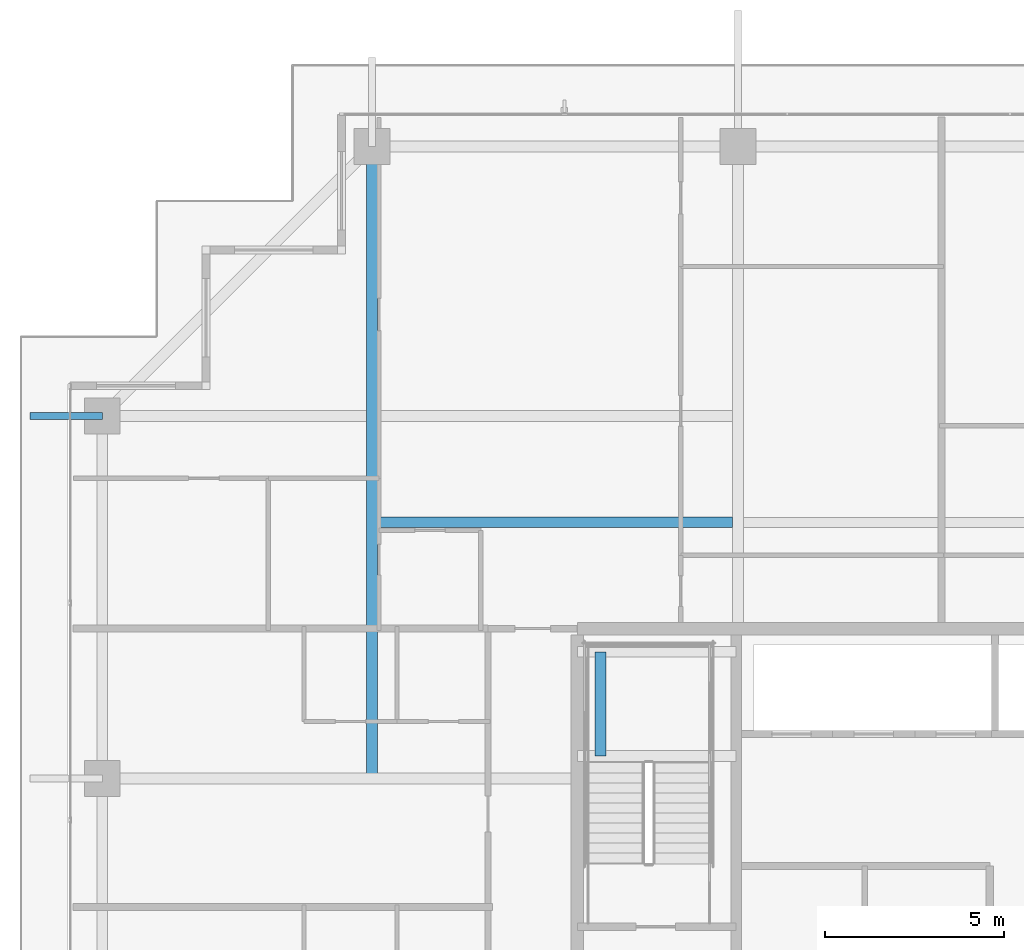
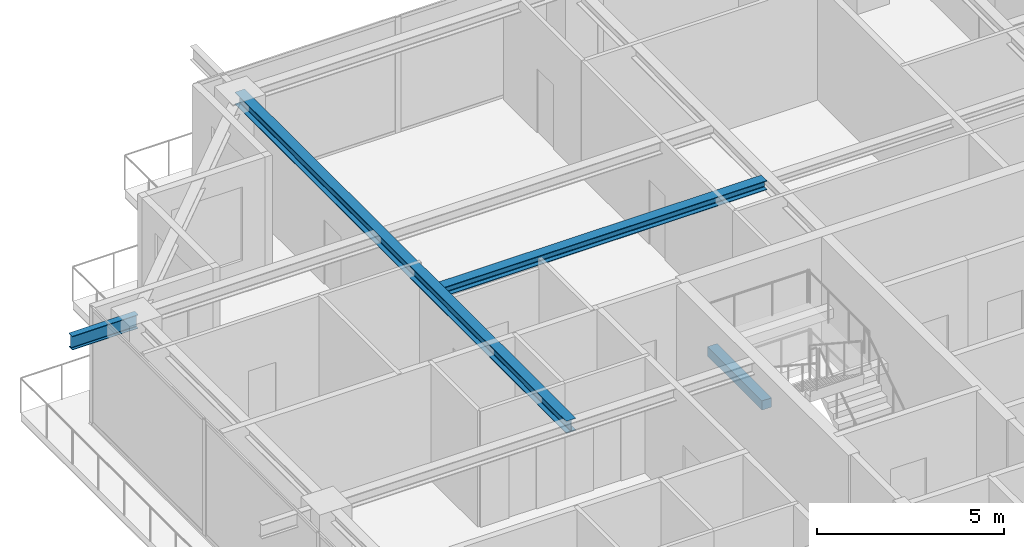
# One storey, part 20 of 42: 4 beams.
"""IFC4 building model written with IfcOpenShell, lengths in metres."""

from ifc_helpers import new_model, si_unit, direction, frame, origin, origin_2d, place, context, subcontext, project, spatial, rectangle, i_section, extrude, source, transform, mapped, material, material_profile, profile_set, type_object, element, save


model = new_model("IFC4")

# Units and contexts
model_context = context("Model", 3, precision=1e-05, world=origin(), true_north=direction((0.0, 1.0)))
body_context = subcontext(model_context, "Body", "Model", "MODEL_VIEW")
ifc_project = project(units=[si_unit("LENGTHUNIT", "METRE"), si_unit("AREAUNIT", "SQUARE_METRE"), si_unit("VOLUMEUNIT", "CUBIC_METRE"), si_unit("PLANEANGLEUNIT", "RADIAN"), si_unit("MASSUNIT", "GRAM", prefix="KILO")], contexts=[model_context])

# Site, building, storey
site_placement = place(None, origin())
site = spatial("IfcSite", under=ifc_project, at=site_placement, CompositionType="ELEMENT")
building_placement = place(site_placement, origin())
building = spatial("IfcBuilding", under=site, at=building_placement, Name="Serunith Strait Residences", CompositionType="ELEMENT")
storey_placement = place(building_placement, frame((0.0, 0.0, 325.85009765625)))
storey = spatial("IfcBuildingStorey", under=building, at=storey_placement, Name="L81", CompositionType="ELEMENT", Elevation=325.85009765625)

# Beams
ifc_material_1 = material(Name="Steel S355J2", Category="steel")
ifc_material_profile_1 = material_profile(ifc_material_1, i_section(OverallWidth=0.300048828125, OverallDepth=0.300048828125, WebThickness=0.010986328125, FlangeThickness=0.01904296875, FilletRadius=0.027099609375, at=origin_2d()), Name="HEB 300")
ifc_profile_set_1 = profile_set([ifc_material_profile_1], Name="Steel S355J2")
beam_type_1 = type_object("IfcBeamType", Name="BM-HEB300", PredefinedType="JOIST", material=ifc_profile_set_1)
shared_shape_1 = source(origin(), body_context, "Body", "SweptSolid", [
    extrude(i_section(OverallWidth=0.300048828125, OverallDepth=0.300048828125, WebThickness=0.010986328125, FlangeThickness=0.01904296875, FilletRadius=0.027099609375, at=origin_2d()), origin(), (0.0, 0.0, 1.0), 9.949951171875),
])
beam_1_placement = place(storey_placement, frame((17.800048828125, 36.574951171875, 3.636962890625), z_axis=(1.0, 0.0, 0.0), x_axis=(0.0, 1.0, 0.0)))
element("IfcBeam", 1, at=beam_1_placement, inside=storey, type_object=beam_type_1, Name="L81 Composite Floor Joist 04", PredefinedType="JOIST", context=body_context, shape_type="MappedRepresentation", body=[
    mapped(shared_shape_1, transform((0.0, 0.0, 0.0), scale=1.0)),
])
ifc_material_profile_2 = material_profile(ifc_material_1, i_section(OverallWidth=0.300048828125, OverallDepth=0.39990234375, WebThickness=0.013427734375, FlangeThickness=0.02392578125, FilletRadius=0.027099609375, at=origin_2d()), Name="HEB 400")
ifc_profile_set_2 = profile_set([ifc_material_profile_2], Name="Steel S355J2")
beam_type_2 = type_object("IfcBeamType", Name="BM-HEB400", PredefinedType="BEAM", material=ifc_profile_set_2)
shared_shape_2 = source(origin(), body_context, "Body", "SweptSolid", [
    extrude(i_section(OverallWidth=0.300048828125, OverallDepth=0.39990234375, WebThickness=0.013427734375, FlangeThickness=0.02392578125, FilletRadius=0.027099609375, at=origin_2d()), origin(), (0.0, 0.0, 1.0), 17.7001953125),
])
beam_2_placement = place(storey_placement, frame((17.64990234375, 29.39990234375, 3.5869140625), z_axis=(0.0, 1.0, 0.0), x_axis=(-1.0, 0.0, 0.0)))
element("IfcBeam", 2, at=beam_2_placement, inside=storey, type_object=beam_type_2, Name="L81 Orthogonal Corner Girder TC-N1", PredefinedType="BEAM", context=body_context, shape_type="MappedRepresentation", body=[
    mapped(shared_shape_2, transform((0.0, 0.0, 0.0), scale=1.0)),
])
ifc_material_profile_3 = material_profile(ifc_material_1, i_section(OverallWidth=0.18994140625, OverallDepth=0.449951171875, WebThickness=0.009521484375, FlangeThickness=0.0146484375, FilletRadius=0.02099609375, at=origin_2d()), Name="IPE 450")
ifc_profile_set_3 = profile_set([ifc_material_profile_3], Name="Steel S355J2")
beam_type_3 = type_object("IfcBeamType", Name="BM-IPE450", PredefinedType="JOIST", material=ifc_profile_set_3)
shared_shape_3 = source(origin(), body_context, "Body", "SweptSolid", [
    extrude(i_section(OverallWidth=0.18994140625, OverallDepth=0.449951171875, WebThickness=0.009521484375, FlangeThickness=0.0146484375, FilletRadius=0.02099609375, at=origin_2d()), origin(), (0.0, 0.0, 1.0), 2.030029296875),
])
beam_3_placement = place(storey_placement, frame((10.10009765625, 39.550048828125, 3.531982421875), z_axis=(-1.0, 0.0, 0.0), x_axis=(0.0, -1.0, 0.0)))
element("IfcBeam", 3, at=beam_3_placement, inside=storey, type_object=beam_type_3, Name="L82 Cantilevered Balcony Rib TC-W4", PredefinedType="JOIST", context=body_context, shape_type="MappedRepresentation", body=[
    mapped(shared_shape_3, transform((0.0, 0.0, 0.0), scale=1.0)),
])
ifc_material_2 = material(Name="Concrete C60/75", Category="concrete")
ifc_material_profile_4 = material_profile(ifc_material_2, rectangle(XDim=0.300048828125, YDim=0.300048828125, at=origin_2d()), Name="RC 300x300")
ifc_profile_set_4 = profile_set([ifc_material_profile_4], Name="Concrete C60/75")
beam_type_4 = type_object("IfcBeamType", Name="BM-LAND-300x300", PredefinedType="BEAM", material=ifc_profile_set_4)
shared_shape_4 = source(origin(), body_context, "Body", "SweptSolid", [
    extrude(rectangle(XDim=0.300048828125, YDim=0.300048828125, at=origin_2d()), origin(), (0.0, 0.0, 1.0), 2.919921875),
])
beam_4_placement = place(storey_placement, frame((24.050048828125, 30.030029296875, 1.6748046875), z_axis=(0.0, 1.0, 0.0), x_axis=(-1.0, 0.0, 0.0)))
element("IfcBeam", 4, at=beam_4_placement, inside=storey, type_object=beam_type_4, Name="L81 ST-1 Landing Transverse Tie Beam", PredefinedType="BEAM", context=body_context, shape_type="MappedRepresentation", body=[
    mapped(shared_shape_4, transform((0.0, 0.0, 0.0), scale=1.0)),
])

save(model, "model.ifc")
